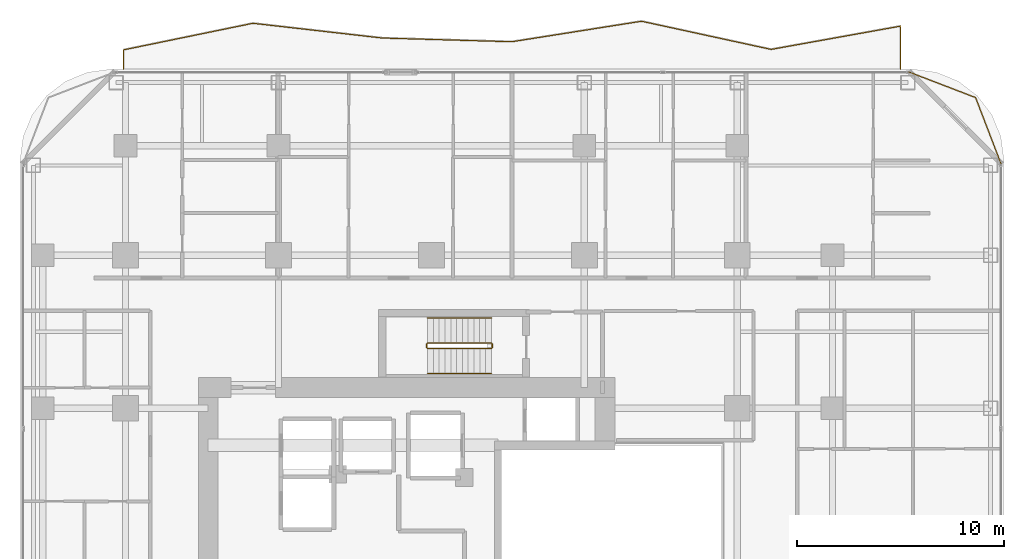
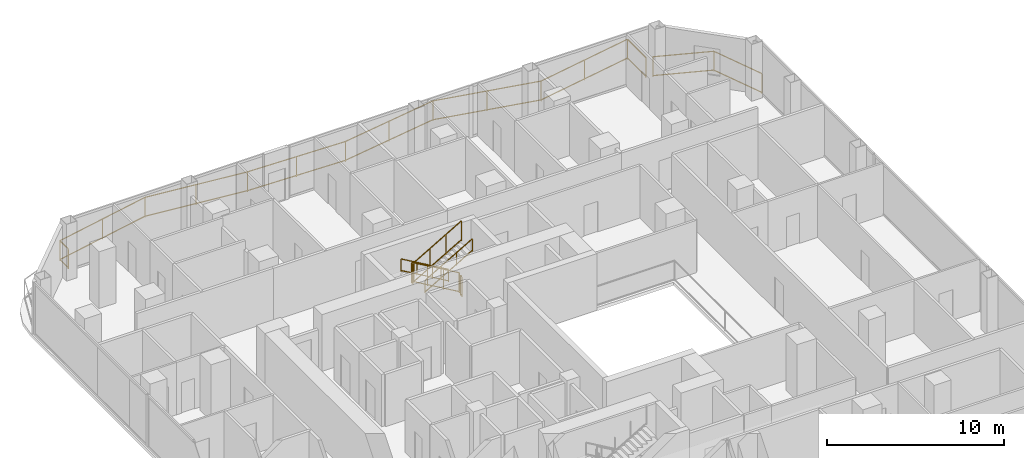
# One storey, part 27 of 27: 8 railings.
"""IFC4 building model written with IfcOpenShell, lengths in metres."""

from ifc_helpers import new_model, si_unit, direction, frame, origin, origin_2d, place, context, subcontext, project, spatial, rectangle, extrude, material, type_object, element, save


model = new_model("IFC4")

# Units and contexts
model_context = context("Model", 3, precision=1e-05, world=origin(), true_north=direction((0.0, 1.0)))
body_context = subcontext(model_context, "Body", "Model", "MODEL_VIEW")
ifc_project = project(units=[si_unit("LENGTHUNIT", "METRE"), si_unit("AREAUNIT", "SQUARE_METRE"), si_unit("VOLUMEUNIT", "CUBIC_METRE"), si_unit("PLANEANGLEUNIT", "RADIAN"), si_unit("MASSUNIT", "GRAM", prefix="KILO")], contexts=[model_context])

# Site, building, storey
site_placement = place(None, origin())
site = spatial("IfcSite", under=ifc_project, at=site_placement, CompositionType="ELEMENT")
building_placement = place(site_placement, origin())
building = spatial("IfcBuilding", under=site, at=building_placement, Name="Khorvyn Point Tower", CompositionType="ELEMENT")
storey_placement = place(building_placement, frame((0.0, 0.0, 152.39990234375)))
storey = spatial("IfcBuildingStorey", under=building, at=storey_placement, Name="L38", CompositionType="ELEMENT", Elevation=152.39990234375)

# Railings
ifc_material_1 = material(Name="Anodised aluminium 6063-T6 and laminated safety glass", Category="aluminium")
railing_type_1 = type_object("IfcRailingType", Name="Laminated Glass and Aluminium Balcony Guardrail 1400", PredefinedType="BALUSTRADE", material=ifc_material_1)
railing_1_placement = place(storey_placement, frame((27.57421875, 19.176025390625, 0.0)))
element("IfcRailing", 1, at=railing_1_placement, inside=storey, type_object=railing_type_1, Name="L38 Rounded Corner Edge Guardrail NE", PredefinedType="BALUSTRADE", context=body_context, shape_type="SweptSolid", body=[
    extrude(rectangle(XDim=0.048095703125, YDim=0.048095703125, at=origin_2d()), frame((0.0, 0.0, 1.3759765625), z_axis=(-0.358382264808, 0.933574931257, 0.0), x_axis=(-0.933574931257, -0.358382264808, 0.0)), (0.0, 0.0, 1.0), 3.481689453125),
    extrude(rectangle(XDim=0.048095703125, YDim=0.048095703125, at=origin_2d()), frame((0.0, 0.0, 0.080078125), z_axis=(-0.358382264808, 0.933574931257, 0.0), x_axis=(-0.933574931257, -0.358382264808, 0.0)), (0.0, 0.0, 1.0), 3.481689453125),
    extrude(rectangle(XDim=0.048095703125, YDim=0.048095703125, at=origin_2d()), frame((-1.247802734375, 3.25048828125, 1.3759765625), z_axis=(-0.933598390295, 0.358321148746, 0.0), x_axis=(-0.358321148746, -0.933598390295, 0.0)), (0.0, 0.0, 1.0), 3.481689453125),
    extrude(rectangle(XDim=0.048095703125, YDim=0.048095703125, at=origin_2d()), frame((-1.247802734375, 3.25048828125, 0.080078125), z_axis=(-0.933598390295, 0.358321148746, 0.0), x_axis=(-0.358321148746, -0.933598390295, 0.0)), (0.0, 0.0, 1.0), 3.481689453125),
    extrude(rectangle(XDim=0.0419921875, YDim=0.0419921875, at=origin_2d()), origin(), (0.0, 0.0, 1.0), 1.351806640625),
    extrude(rectangle(XDim=0.0419921875, YDim=0.0419921875, at=origin_2d()), frame((-1.247802734375, 3.25048828125, 0.0)), (0.0, 0.0, 1.0), 1.351806640625),
    extrude(rectangle(XDim=0.0419921875, YDim=0.0419921875, at=origin_2d()), frame((-4.498291015625, 4.498046875, 0.0)), (0.0, 0.0, 1.0), 1.351806640625),
])
railing_2_placement = place(storey_placement, frame((22.699951171875, 23.800048828125, 0.0)))
element("IfcRailing", 2, at=railing_2_placement, inside=storey, type_object=railing_type_1, Name="L38 North Balcony Guardrail", PredefinedType="BALUSTRADE", context=body_context, shape_type="SweptSolid", body=[
    extrude(rectangle(XDim=0.048095703125, YDim=0.048095703125, at=origin_2d()), frame((0.0, 0.0, 1.3759765625), z_axis=(0.0, 1.0, 0.0), x_axis=(-1.0, 0.0, 0.0)), (0.0, 0.0, 1.0), 2.08349609375),
    extrude(rectangle(XDim=0.048095703125, YDim=0.048095703125, at=origin_2d()), frame((0.0, 0.0, 0.080078125), z_axis=(0.0, 1.0, 0.0), x_axis=(-1.0, 0.0, 0.0)), (0.0, 0.0, 1.0), 2.08349609375),
    extrude(rectangle(XDim=0.048095703125, YDim=0.048095703125, at=origin_2d()), frame((0.0, 2.08349609375, 1.3759765625), z_axis=(-0.984225013532, -0.176921233148, 0.0), x_axis=(0.176921233148, -0.984225013532, 0.0)), (0.0, 0.0, 1.0), 6.366943359375),
    extrude(rectangle(XDim=0.048095703125, YDim=0.048095703125, at=origin_2d()), frame((0.0, 2.08349609375, 0.080078125), z_axis=(-0.984225013532, -0.176921233148, 0.0), x_axis=(0.176921233148, -0.984225013532, 0.0)), (0.0, 0.0, 1.0), 6.366943359375),
    extrude(rectangle(XDim=0.048095703125, YDim=0.048095703125, at=origin_2d()), frame((-6.2666015625, 0.95703125, 1.3759765625), z_axis=(-0.97716055631, 0.212502346319, 0.0), x_axis=(-0.212502346319, -0.97716055631, 0.0)), (0.0, 0.0, 1.0), 6.4130859375),
    extrude(rectangle(XDim=0.048095703125, YDim=0.048095703125, at=origin_2d()), frame((-6.2666015625, 0.95703125, 0.080078125), z_axis=(-0.97716055631, 0.212502346319, 0.0), x_axis=(-0.212502346319, -0.97716055631, 0.0)), (0.0, 0.0, 1.0), 6.4130859375),
    extrude(rectangle(XDim=0.048095703125, YDim=0.048095703125, at=origin_2d()), frame((-12.533203125, 2.31982421875, 1.3759765625), z_axis=(-0.987715496993, -0.156262909864, 0.0), x_axis=(0.156262909864, -0.987715496993, 0.0)), (0.0, 0.0, 1.0), 6.3447265625),
    extrude(rectangle(XDim=0.048095703125, YDim=0.048095703125, at=origin_2d()), frame((-12.533203125, 2.31982421875, 0.080078125), z_axis=(-0.987715496993, -0.156262909864, 0.0), x_axis=(0.156262909864, -0.987715496993, 0.0)), (0.0, 0.0, 1.0), 6.3447265625),
    extrude(rectangle(XDim=0.048095703125, YDim=0.048095703125, at=origin_2d()), frame((-18.800048828125, 1.328369140625, 1.3759765625), z_axis=(-0.999594718652, 0.028467498026, 0.0), x_axis=(-0.028467498026, -0.999594718652, 0.0)), (0.0, 0.0, 1.0), 6.26904296875),
    extrude(rectangle(XDim=0.048095703125, YDim=0.048095703125, at=origin_2d()), frame((-18.800048828125, 1.328369140625, 0.080078125), z_axis=(-0.999594718652, 0.028467498026, 0.0), x_axis=(-0.028467498026, -0.999594718652, 0.0)), (0.0, 0.0, 1.0), 6.26904296875),
    extrude(rectangle(XDim=0.048095703125, YDim=0.048095703125, at=origin_2d()), frame((-25.066650390625, 1.5068359375, 1.3759765625), z_axis=(-0.993569675103, 0.113222350774, 0.0), x_axis=(-0.113222350774, -0.993569675103, 0.0)), (0.0, 0.0, 1.0), 6.30712890625),
    extrude(rectangle(XDim=0.048095703125, YDim=0.048095703125, at=origin_2d()), frame((-25.066650390625, 1.5068359375, 0.080078125), z_axis=(-0.993569675103, 0.113222350774, 0.0), x_axis=(-0.113222350774, -0.993569675103, 0.0)), (0.0, 0.0, 1.0), 6.30712890625),
    extrude(rectangle(XDim=0.048095703125, YDim=0.048095703125, at=origin_2d()), frame((-31.333251953125, 2.220947265625, 1.3759765625), z_axis=(-0.979506669863, -0.201411726801, 0.0), x_axis=(0.201411726801, -0.979506669863, 0.0)), (0.0, 0.0, 1.0), 6.397705078125),
    extrude(rectangle(XDim=0.048095703125, YDim=0.048095703125, at=origin_2d()), frame((-31.333251953125, 2.220947265625, 0.080078125), z_axis=(-0.979506669863, -0.201411726801, 0.0), x_axis=(0.201411726801, -0.979506669863, 0.0)), (0.0, 0.0, 1.0), 6.397705078125),
    extrude(rectangle(XDim=0.048095703125, YDim=0.048095703125, at=origin_2d()), frame((-37.599853515625, 0.932373046875, 1.3759765625), z_axis=(0.0, -1.0, 0.0), x_axis=(1.0, 0.0, 0.0)), (0.0, 0.0, 1.0), 0.932373046875),
    extrude(rectangle(XDim=0.048095703125, YDim=0.048095703125, at=origin_2d()), frame((-37.599853515625, 0.932373046875, 0.080078125), z_axis=(0.0, -1.0, 0.0), x_axis=(1.0, 0.0, 0.0)), (0.0, 0.0, 1.0), 0.932373046875),
    extrude(rectangle(XDim=0.0419921875, YDim=0.0419921875, at=origin_2d()), origin(), (0.0, 0.0, 1.0), 1.351806640625),
    extrude(rectangle(XDim=0.0419921875, YDim=0.0419921875, at=origin_2d()), frame((0.0, 2.08349609375, 0.0)), (0.0, 0.0, 1.0), 1.351806640625),
    extrude(rectangle(XDim=0.0419921875, YDim=0.0419921875, at=origin_2d()), frame((-3.13330078125, 1.520263671875, 0.0)), (0.0, 0.0, 1.0), 1.351806640625),
    extrude(rectangle(XDim=0.0419921875, YDim=0.0419921875, at=origin_2d()), frame((-6.2666015625, 0.95703125, 0.0)), (0.0, 0.0, 1.0), 1.351806640625),
    extrude(rectangle(XDim=0.0419921875, YDim=0.0419921875, at=origin_2d()), frame((-9.39990234375, 1.638427734375, 0.0)), (0.0, 0.0, 1.0), 1.351806640625),
    extrude(rectangle(XDim=0.0419921875, YDim=0.0419921875, at=origin_2d()), frame((-12.533203125, 2.31982421875, 0.0)), (0.0, 0.0, 1.0), 1.351806640625),
    extrude(rectangle(XDim=0.0419921875, YDim=0.0419921875, at=origin_2d()), frame((-15.66650390625, 1.82421875, 0.0)), (0.0, 0.0, 1.0), 1.351806640625),
    extrude(rectangle(XDim=0.0419921875, YDim=0.0419921875, at=origin_2d()), frame((-18.800048828125, 1.328369140625, 0.0)), (0.0, 0.0, 1.0), 1.351806640625),
    extrude(rectangle(XDim=0.0419921875, YDim=0.0419921875, at=origin_2d()), frame((-21.933349609375, 1.41748046875, 0.0)), (0.0, 0.0, 1.0), 1.351806640625),
    extrude(rectangle(XDim=0.0419921875, YDim=0.0419921875, at=origin_2d()), frame((-25.066650390625, 1.5068359375, 0.0)), (0.0, 0.0, 1.0), 1.351806640625),
    extrude(rectangle(XDim=0.0419921875, YDim=0.0419921875, at=origin_2d()), frame((-28.199951171875, 1.86376953125, 0.0)), (0.0, 0.0, 1.0), 1.351806640625),
    extrude(rectangle(XDim=0.0419921875, YDim=0.0419921875, at=origin_2d()), frame((-31.333251953125, 2.220947265625, 0.0)), (0.0, 0.0, 1.0), 1.351806640625),
    extrude(rectangle(XDim=0.0419921875, YDim=0.0419921875, at=origin_2d()), frame((-34.466552734375, 1.57666015625, 0.0)), (0.0, 0.0, 1.0), 1.351806640625),
    extrude(rectangle(XDim=0.0419921875, YDim=0.0419921875, at=origin_2d()), frame((-37.599853515625, 0.932373046875, 0.0)), (0.0, 0.0, 1.0), 1.351806640625),
    extrude(rectangle(XDim=0.0419921875, YDim=0.0419921875, at=origin_2d()), frame((-37.599853515625, 0.0, 0.0)), (0.0, 0.0, 1.0), 1.351806640625),
])
ifc_material_2 = material(Name="Stainless steel 1.4301", Category="steel")
railing_type_2 = type_object("IfcRailingType", Name="Stainless Steel 304 Stair Pitch Handrail 900", PredefinedType="HANDRAIL", material=ifc_material_2)
railing_3_placement = place(storey_placement, frame((2.89990234375, 11.77001953125, 0.16259765625)))
element("IfcRailing", 3, at=railing_3_placement, inside=storey, type_object=railing_type_2, Name="L38 ST-02 stair handrail 1", PredefinedType="HANDRAIL", context=body_context, shape_type="SweptSolid", body=[
    extrude(rectangle(XDim=0.048095703125, YDim=0.048095703125, at=origin_2d()), frame((0.0, 0.0, 0.8759765625), z_axis=(-0.864873446163, 0.0, 0.501989962173), x_axis=(0.0, -1.0, 0.0)), (0.0, 0.0, 1.0), 3.56103515625),
    extrude(rectangle(XDim=0.048095703125, YDim=0.048095703125, at=origin_2d()), frame((0.0, 0.0, 0.080078125), z_axis=(-0.864873446163, 0.0, 0.501989962173), x_axis=(0.0, -1.0, 0.0)), (0.0, 0.0, 1.0), 3.56103515625),
    extrude(rectangle(XDim=0.0419921875, YDim=0.0419921875, at=origin_2d()), origin(), (0.0, 0.0, 1.0), 0.851806640625),
    extrude(rectangle(XDim=0.0419921875, YDim=0.0419921875, at=origin_2d()), frame((-1.026611328125, 0.0, 0.595947265625)), (0.0, 0.0, 1.0), 0.851806640625),
    extrude(rectangle(XDim=0.0419921875, YDim=0.0419921875, at=origin_2d()), frame((-2.05322265625, 0.0, 1.191650390625)), (0.0, 0.0, 1.0), 0.851806640625),
    extrude(rectangle(XDim=0.0419921875, YDim=0.0419921875, at=origin_2d()), frame((-3.079833984375, 0.0, 1.78759765625)), (0.0, 0.0, 1.0), 0.851806640625),
])
railing_4_placement = place(storey_placement, frame((-0.179931640625, 9.070068359375, 2.112548828125)))
element("IfcRailing", 4, at=railing_4_placement, inside=storey, type_object=railing_type_2, Name="L38 ST-02 stair handrail 2", PredefinedType="HANDRAIL", context=body_context, shape_type="SweptSolid", body=[
    extrude(rectangle(XDim=0.048095703125, YDim=0.048095703125, at=origin_2d()), frame((0.0, 0.0, 0.8759765625), z_axis=(0.864873446163, 0.0, 0.501989962173), x_axis=(0.0, 1.0, 0.0)), (0.0, 0.0, 1.0), 3.56103515625),
    extrude(rectangle(XDim=0.048095703125, YDim=0.048095703125, at=origin_2d()), frame((0.0, 0.0, 0.080078125), z_axis=(0.864873446163, 0.0, 0.501989962173), x_axis=(0.0, 1.0, 0.0)), (0.0, 0.0, 1.0), 3.56103515625),
    extrude(rectangle(XDim=0.0419921875, YDim=0.0419921875, at=origin_2d()), origin(), (0.0, 0.0, 1.0), 0.851806640625),
    extrude(rectangle(XDim=0.0419921875, YDim=0.0419921875, at=origin_2d()), frame((1.026611328125, 0.0, 0.595947265625)), (0.0, 0.0, 1.0), 0.851806640625),
    extrude(rectangle(XDim=0.0419921875, YDim=0.0419921875, at=origin_2d()), frame((2.05322265625, 0.0, 1.191650390625)), (0.0, 0.0, 1.0), 0.851806640625),
    extrude(rectangle(XDim=0.0419921875, YDim=0.0419921875, at=origin_2d()), frame((3.079833984375, 0.0, 1.78759765625)), (0.0, 0.0, 1.0), 0.851806640625),
])
railing_type_3 = type_object("IfcRailingType", Name="Stainless Steel 304 Stair Well Guardrail 1400", PredefinedType="GUARDRAIL", material=ifc_material_2)
railing_5_placement = place(storey_placement, frame((2.89990234375, 10.550048828125, 0.16259765625)))
element("IfcRailing", 5, at=railing_5_placement, inside=storey, type_object=railing_type_3, Name="L38 ST-02 stair guard 1", PredefinedType="GUARDRAIL", context=body_context, shape_type="SweptSolid", body=[
    extrude(rectangle(XDim=0.048095703125, YDim=0.048095703125, at=origin_2d()), frame((0.0, 0.0, 1.3759765625), z_axis=(-0.864873446163, 0.0, 0.501989962173), x_axis=(0.0, -1.0, 0.0)), (0.0, 0.0, 1.0), 3.56103515625),
    extrude(rectangle(XDim=0.048095703125, YDim=0.048095703125, at=origin_2d()), frame((0.0, 0.0, 0.080078125), z_axis=(-0.864873446163, 0.0, 0.501989962173), x_axis=(0.0, -1.0, 0.0)), (0.0, 0.0, 1.0), 3.56103515625),
    extrude(rectangle(XDim=0.0419921875, YDim=0.0419921875, at=origin_2d()), origin(), (0.0, 0.0, 1.0), 1.351806640625),
    extrude(rectangle(XDim=0.0419921875, YDim=0.0419921875, at=origin_2d()), frame((-1.026611328125, 0.0, 0.595947265625)), (0.0, 0.0, 1.0), 1.351806640625),
    extrude(rectangle(XDim=0.0419921875, YDim=0.0419921875, at=origin_2d()), frame((-2.05322265625, 0.0, 1.191650390625)), (0.0, 0.0, 1.0), 1.351806640625),
    extrude(rectangle(XDim=0.0419921875, YDim=0.0419921875, at=origin_2d()), frame((-3.079833984375, 0.0, 1.78759765625)), (0.0, 0.0, 1.0), 1.351806640625),
])
railing_6_placement = place(storey_placement, frame((-0.22998046875, 10.5, 1.9501953125)))
element("IfcRailing", 6, at=railing_6_placement, inside=storey, type_object=railing_type_3, Name="L38 ST-02 stair guard 2", PredefinedType="GUARDRAIL", context=body_context, shape_type="SweptSolid", body=[
    extrude(rectangle(XDim=0.048095703125, YDim=0.048095703125, at=origin_2d()), frame((0.0, 0.0, 1.3759765625), z_axis=(0.0, -1.0, 0.0), x_axis=(1.0, 0.0, 0.0)), (0.0, 0.0, 1.0), 0.159912109375),
    extrude(rectangle(XDim=0.048095703125, YDim=0.048095703125, at=origin_2d()), frame((0.0, 0.0, 0.080078125), z_axis=(0.0, -1.0, 0.0), x_axis=(1.0, 0.0, 0.0)), (0.0, 0.0, 1.0), 0.159912109375),
    extrude(rectangle(XDim=0.0419921875, YDim=0.0419921875, at=origin_2d()), origin(), (0.0, 0.0, 1.0), 1.351806640625),
    extrude(rectangle(XDim=0.0419921875, YDim=0.0419921875, at=origin_2d()), frame((0.0, -0.159912109375, 0.0)), (0.0, 0.0, 1.0), 1.351806640625),
])
railing_7_placement = place(storey_placement, frame((-0.179931640625, 10.2900390625, 2.112548828125)))
element("IfcRailing", 7, at=railing_7_placement, inside=storey, type_object=railing_type_3, Name="L38 ST-02 stair guard 3", PredefinedType="GUARDRAIL", context=body_context, shape_type="SweptSolid", body=[
    extrude(rectangle(XDim=0.048095703125, YDim=0.048095703125, at=origin_2d()), frame((0.0, 0.0, 1.3759765625), z_axis=(0.864873446163, 0.0, 0.501989962173), x_axis=(0.0, 1.0, 0.0)), (0.0, 0.0, 1.0), 3.56103515625),
    extrude(rectangle(XDim=0.048095703125, YDim=0.048095703125, at=origin_2d()), frame((0.0, 0.0, 0.080078125), z_axis=(0.864873446163, 0.0, 0.501989962173), x_axis=(0.0, 1.0, 0.0)), (0.0, 0.0, 1.0), 3.56103515625),
    extrude(rectangle(XDim=0.0419921875, YDim=0.0419921875, at=origin_2d()), origin(), (0.0, 0.0, 1.0), 1.351806640625),
    extrude(rectangle(XDim=0.0419921875, YDim=0.0419921875, at=origin_2d()), frame((1.026611328125, 0.0, 0.595947265625)), (0.0, 0.0, 1.0), 1.351806640625),
    extrude(rectangle(XDim=0.0419921875, YDim=0.0419921875, at=origin_2d()), frame((2.05322265625, 0.0, 1.191650390625)), (0.0, 0.0, 1.0), 1.351806640625),
    extrude(rectangle(XDim=0.0419921875, YDim=0.0419921875, at=origin_2d()), frame((3.079833984375, 0.0, 1.78759765625)), (0.0, 0.0, 1.0), 1.351806640625),
])
railing_8_placement = place(storey_placement, frame((2.949951171875, 10.5, 0.0)))
element("IfcRailing", 8, at=railing_8_placement, inside=storey, type_object=railing_type_3, Name="L38 ST-02 stair guard 4", PredefinedType="GUARDRAIL", context=body_context, shape_type="SweptSolid", body=[
    extrude(rectangle(XDim=0.048095703125, YDim=0.048095703125, at=origin_2d()), frame((0.0, 0.0, 1.3759765625), z_axis=(0.0, -1.0, 0.0), x_axis=(1.0, 0.0, 0.0)), (0.0, 0.0, 1.0), 0.159912109375),
    extrude(rectangle(XDim=0.048095703125, YDim=0.048095703125, at=origin_2d()), frame((0.0, 0.0, 0.080078125), z_axis=(0.0, -1.0, 0.0), x_axis=(1.0, 0.0, 0.0)), (0.0, 0.0, 1.0), 0.159912109375),
    extrude(rectangle(XDim=0.0419921875, YDim=0.0419921875, at=origin_2d()), origin(), (0.0, 0.0, 1.0), 1.351806640625),
    extrude(rectangle(XDim=0.0419921875, YDim=0.0419921875, at=origin_2d()), frame((0.0, -0.159912109375, 0.0)), (0.0, 0.0, 1.0), 1.351806640625),
])

save(model, "model.ifc")
